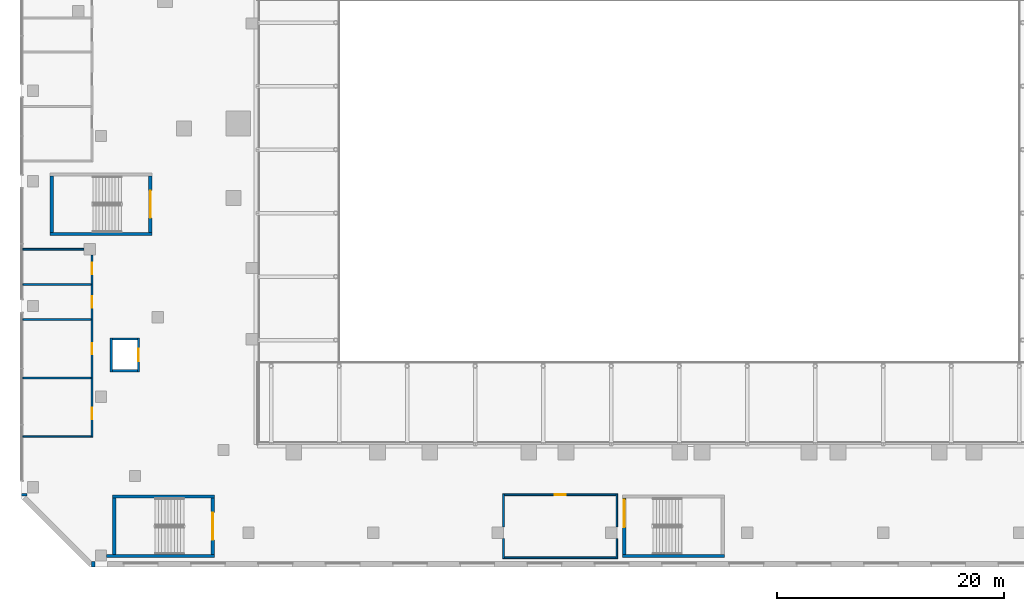
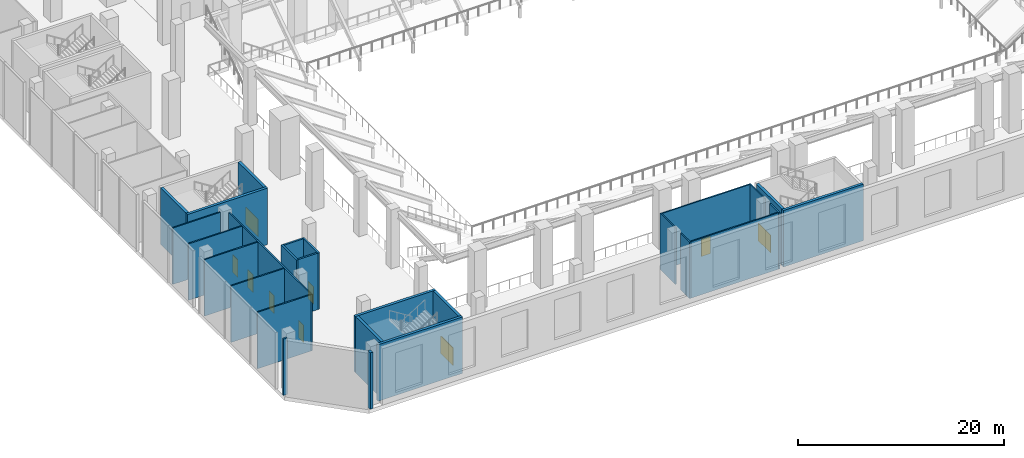
# One storey, part 20 of 41: 27 walls, 9 doors, 9 openings.
"""IFC4 building model written with IfcOpenShell, lengths in metres."""

from ifc_helpers import new_model, si_unit, direction, frame, frame_2d, origin, place, context, subcontext, project, spatial, rectangle, extrude, material, layer, layer_set, type_object, element, fill, save


model = new_model("IFC4")

# Units and contexts
model_context = context("Model", 3, precision=1e-05, world=origin(), true_north=direction((0.0, 1.0)))
body_context = subcontext(model_context, "Body", "Model", "MODEL_VIEW")
ifc_project = project(units=[si_unit("LENGTHUNIT", "METRE"), si_unit("AREAUNIT", "SQUARE_METRE"), si_unit("VOLUMEUNIT", "CUBIC_METRE"), si_unit("PLANEANGLEUNIT", "RADIAN"), si_unit("MASSUNIT", "GRAM", prefix="KILO")], contexts=[model_context])

# Site, building, storey
site_placement = place(None, origin())
site = spatial("IfcSite", under=ifc_project, at=site_placement, CompositionType="ELEMENT")
building_placement = place(site_placement, origin())
building = spatial("IfcBuilding", under=site, at=building_placement, Name="Wharfspan Tower", CompositionType="ELEMENT")
storey_placement = place(building_placement, frame((0.0, 0.0, 8.0)))
storey = spatial("IfcBuildingStorey", under=building, at=storey_placement, Name="L01", CompositionType="ELEMENT", Elevation=8.0)

# Wall
ifc_material_1 = material(Name="Calcium silicate masonry", Category="masonry")
ifc_layer_1 = layer(ifc_material_1, 0.149902)
ifc_layer_set_1 = layer_set([ifc_layer_1], Name="Calcium silicate masonry")
wall_type_1 = type_object("IfcWallType", Name="Podium room wall 150", PredefinedType="PARTITIONING", material=ifc_layer_set_1)
wall_1_placement = place(storey_placement, frame((-11.89502, -20.5, 0.0), z_axis=(0.0, 0.0, 1.0), x_axis=(1.0, 0.0, 0.0)))
element("IfcWall", 1, at=wall_1_placement, inside=storey, type_object=wall_type_1, Name="iw:L01:1", PredefinedType="PARTITIONING", context=body_context, shape_type="SweptSolid", body=[
    extrude(rectangle(XDim=6.02002, YDim=0.149902, at=frame_2d((3.01001, 0.0))), origin(), (0.0, 0.0, 1.0), 6.699951),
])

# Wall, openings, doors
wall_2_placement = place(storey_placement, frame((-5.800049, -20.574951, 0.0), z_axis=(0.0, 0.0, 1.0), x_axis=(0.0, 1.0, 0.0)))
wall_2 = element("IfcWall", 2, at=wall_2_placement, inside=storey, type_object=wall_type_1, Name="iw:L01:3", PredefinedType="PARTITIONING", context=body_context, shape_type="SweptSolid", body=[
    extrude(rectangle(XDim=16.064941, YDim=0.149902, at=frame_2d((8.032471, 0.0))), origin(), (0.0, 0.0, 1.0), 6.699951),
])
opening_1_placement = place(wall_2_placement, frame((1.5896, 0.0, 0.0)))
opening_1 = element("IfcOpeningElement", 3, at=opening_1_placement, cuts=wall_2, Name="Opening PD01.1", PredefinedType="OPENING", context=body_context, shape_type="SweptSolid", body=[
    extrude(rectangle(XDim=1.0, YDim=2.100098, at=frame_2d((0.5, 1.050049))), frame((0.0, 0.084961, 0.0), z_axis=(0.0, -1.0, 0.0), x_axis=(1.0, 0.0, 0.0)), (0.0, 0.0, 1.0), 0.169922),
])
opening_2_placement = place(wall_2_placement, frame((7.309326, 0.0, 0.0)))
opening_2 = element("IfcOpeningElement", 4, at=opening_2_placement, cuts=wall_2, Name="Opening PD01.2", PredefinedType="OPENING", context=body_context, shape_type="SweptSolid", body=[
    extrude(rectangle(XDim=1.0, YDim=2.100098, at=frame_2d((0.5, 1.050049))), frame((0.0, 0.084961, 0.0), z_axis=(0.0, -1.0, 0.0), x_axis=(1.0, 0.0, 0.0)), (0.0, 0.0, 1.0), 0.169922),
])
opening_3_placement = place(wall_2_placement, frame((11.434326, 0.0, 0.0)))
opening_3 = element("IfcOpeningElement", 5, at=opening_3_placement, cuts=wall_2, Name="Opening PD01.3", PredefinedType="OPENING", context=body_context, shape_type="SweptSolid", body=[
    extrude(rectangle(XDim=1.0, YDim=2.100098, at=frame_2d((0.5, 1.050049))), frame((0.0, 0.084961, 0.0), z_axis=(0.0, -1.0, 0.0), x_axis=(1.0, 0.0, 0.0)), (0.0, 0.0, 1.0), 0.169922),
])
opening_4_placement = place(wall_2_placement, frame((14.373047, 0.0, 0.0)))
opening_4 = element("IfcOpeningElement", 6, at=opening_4_placement, cuts=wall_2, Name="Opening PD01.4", PredefinedType="OPENING", context=body_context, shape_type="SweptSolid", body=[
    extrude(rectangle(XDim=1.0, YDim=2.100098, at=frame_2d((0.5, 1.050049))), frame((0.0, 0.084961, 0.0), z_axis=(0.0, -1.0, 0.0), x_axis=(1.0, 0.0, 0.0)), (0.0, 0.0, 1.0), 0.169922),
])
ifc_material_2 = material(Name="Steel door leaf", Category="steel")
door_type_1 = type_object("IfcDoorType", Name="Podium room door 1000x2100", OperationType="SINGLE_SWING_LEFT", PredefinedType="DOOR", material=ifc_material_2)
door_1_placement = place(opening_1_placement, origin())
door_1 = element("IfcDoor", 7, at=door_1_placement, inside=storey, type_object=door_type_1, Name="id:L01:1", OperationType="SINGLE_SWING_RIGHT", OverallHeight=2.100098, OverallWidth=1.0, PredefinedType="DOOR", context=body_context, shape_type="SweptSolid", body=[
    extrude(rectangle(XDim=1.0, YDim=2.100098, at=frame_2d((0.5, 1.050049))), frame((0.0, 0.024902, 0.0), z_axis=(0.0, -1.0, 0.0), x_axis=(1.0, 0.0, 0.0)), (0.0, 0.0, 1.0), 0.050049),
])
fill(opening_1, door_1)
door_2_placement = place(opening_2_placement, origin())
door_2 = element("IfcDoor", 8, at=door_2_placement, inside=storey, type_object=door_type_1, Name="id:L01:2", OperationType="SINGLE_SWING_LEFT", OverallHeight=2.100098, OverallWidth=1.0, PredefinedType="DOOR", context=body_context, shape_type="SweptSolid", body=[
    extrude(rectangle(XDim=1.0, YDim=2.100098, at=frame_2d((0.5, 1.050049))), frame((0.0, 0.024902, 0.0), z_axis=(0.0, -1.0, 0.0), x_axis=(1.0, 0.0, 0.0)), (0.0, 0.0, 1.0), 0.050049),
])
fill(opening_2, door_2)
door_3_placement = place(opening_3_placement, origin())
door_3 = element("IfcDoor", 9, at=door_3_placement, inside=storey, type_object=door_type_1, Name="id:L01:3", OperationType="SINGLE_SWING_RIGHT", OverallHeight=2.100098, OverallWidth=1.0, PredefinedType="DOOR", context=body_context, shape_type="SweptSolid", body=[
    extrude(rectangle(XDim=1.0, YDim=2.100098, at=frame_2d((0.5, 1.050049))), frame((0.0, 0.024902, 0.0), z_axis=(0.0, -1.0, 0.0), x_axis=(1.0, 0.0, 0.0)), (0.0, 0.0, 1.0), 0.050049),
])
fill(opening_3, door_3)
door_4_placement = place(opening_4_placement, origin())
door_4 = element("IfcDoor", 10, at=door_4_placement, inside=storey, type_object=door_type_1, Name="id:L01:4", OperationType="SINGLE_SWING_LEFT", OverallHeight=2.100098, OverallWidth=1.0, PredefinedType="DOOR", context=body_context, shape_type="SweptSolid", body=[
    extrude(rectangle(XDim=1.0, YDim=2.100098, at=frame_2d((0.5, 1.050049))), frame((0.0, 0.024902, 0.0), z_axis=(0.0, -1.0, 0.0), x_axis=(1.0, 0.0, 0.0)), (0.0, 0.0, 1.0), 0.050049),
])
fill(opening_4, door_4)

# Walls
for number, where, z_axis, x_axis, name in (
    (11, (-11.89502, -15.343994, 0.0), (0.0, 0.0, 1.0), (1.0, 0.0, 0.0), "iw:L01:6"),
    (12, (-11.89502, -10.187988, 0.0), (0.0, 0.0, 1.0), (1.0, 0.0, 0.0), "iw:L01:7"),
    (13, (-11.89502, -7.093994, 0.0), (0.0, 0.0, 1.0), (1.0, 0.0, 0.0), "iw:L01:8"),
):
    element("IfcWall", number, at=place(storey_placement, frame(where, z_axis=z_axis, x_axis=x_axis)), inside=storey, type_object=wall_type_1, Name=name, PredefinedType="PARTITIONING", context=body_context, shape_type="SweptSolid", body=[
        extrude(rectangle(XDim=6.02002, YDim=0.149902, at=frame_2d((3.01001, 0.0))), origin(), (0.0, 0.0, 1.0), 6.699951),
    ])
wall_3_placement = place(storey_placement, frame((-11.89502, -4.0, 0.0), z_axis=(0.0, 0.0, 1.0), x_axis=(1.0, 0.0, 0.0)))
element("IfcWall", 14, at=wall_3_placement, inside=storey, type_object=wall_type_1, Name="iw:L01:9", PredefinedType="PARTITIONING", context=body_context, shape_type="SweptSolid", body=[
    extrude(rectangle(XDim=5.38501, YDim=0.149902, at=frame_2d((2.692383, 0.0))), origin(), (0.0, 0.0, 1.0), 6.699951),
])
wall_4_placement = place(storey_placement, frame((30.574951, -31.199951, 0.0), z_axis=(0.0, 0.0, 1.0), x_axis=(1.0, 0.0, 0.0)))
element("IfcWall", 15, at=wall_4_placement, inside=storey, type_object=wall_type_1, Name="iw:L01:41", PredefinedType="PARTITIONING", context=body_context, shape_type="SweptSolid", body=[
    extrude(rectangle(XDim=9.850098, YDim=0.149902, at=frame_2d((4.925049, 0.0))), origin(), (0.0, 0.0, 1.0), 6.699951),
])
wall_5_placement = place(storey_placement, frame((40.5, -31.274902, 0.0), z_axis=(0.0, 0.0, 1.0), x_axis=(0.0, 1.0, 0.0)))
element("IfcWall", 16, at=wall_5_placement, inside=storey, type_object=wall_type_1, Name="iw:L01:42", PredefinedType="PARTITIONING", context=body_context, shape_type="SweptSolid", body=[
    extrude(rectangle(XDim=1.764893, YDim=0.149902, at=frame_2d((0.882324, 0.0))), origin(), (0.0, 0.0, 1.0), 6.699951),
])
wall_6_placement = place(storey_placement, frame((40.5, -28.48999, 0.0), z_axis=(0.0, 0.0, 1.0), x_axis=(0.0, 1.0, 0.0)))
element("IfcWall", 17, at=wall_6_placement, inside=storey, type_object=wall_type_1, Name="iw:L01:43", PredefinedType="PARTITIONING", context=body_context, shape_type="SweptSolid", body=[
    extrude(rectangle(XDim=2.915039, YDim=0.149902, at=frame_2d((1.45752, 0.0))), origin(), (0.0, 0.0, 1.0), 6.699951),
])

# Wall, opening, door
wall_7_placement = place(storey_placement, frame((30.574951, -25.649902, 0.0), z_axis=(0.0, 0.0, 1.0), x_axis=(1.0, 0.0, 0.0)))
wall_7 = element("IfcWall", 18, at=wall_7_placement, inside=storey, type_object=wall_type_1, Name="iw:L01:44", PredefinedType="PARTITIONING", context=body_context, shape_type="SweptSolid", body=[
    extrude(rectangle(XDim=9.850098, YDim=0.149902, at=frame_2d((4.925049, 0.0))), origin(), (0.0, 0.0, 1.0), 6.699951),
])
opening_5_placement = place(wall_7_placement, frame((4.425049, 0.0, 0.0)))
opening_5 = element("IfcOpeningElement", 19, at=opening_5_placement, cuts=wall_7, Name="Opening PD01.21", PredefinedType="OPENING", context=body_context, shape_type="SweptSolid", body=[
    extrude(rectangle(XDim=1.0, YDim=2.100098, at=frame_2d((0.5, 1.050049))), frame((0.0, 0.084961, 0.0), z_axis=(0.0, -1.0, 0.0), x_axis=(1.0, 0.0, 0.0)), (0.0, 0.0, 1.0), 0.169922),
])
door_5_placement = place(opening_5_placement, origin())
door_5 = element("IfcDoor", 20, at=door_5_placement, inside=storey, type_object=door_type_1, Name="id:L01:21", OperationType="SINGLE_SWING_RIGHT", OverallHeight=2.100098, OverallWidth=1.0, PredefinedType="DOOR", context=body_context, shape_type="SweptSolid", body=[
    extrude(rectangle(XDim=1.0, YDim=2.100098, at=frame_2d((0.5, 1.050049))), frame((0.0, 0.024902, 0.0), z_axis=(0.0, -1.0, 0.0), x_axis=(1.0, 0.0, 0.0)), (0.0, 0.0, 1.0), 0.050049),
])
fill(opening_5, door_5)

# Walls
wall_8_placement = place(storey_placement, frame((30.5, -31.274902, 0.0), z_axis=(0.0, 0.0, 1.0), x_axis=(0.0, 1.0, 0.0)))
element("IfcWall", 21, at=wall_8_placement, inside=storey, type_object=wall_type_1, Name="iw:L01:45", PredefinedType="PARTITIONING", context=body_context, shape_type="SweptSolid", body=[
    extrude(rectangle(XDim=1.764893, YDim=0.149902, at=frame_2d((0.882324, 0.0))), origin(), (0.0, 0.0, 1.0), 6.699951),
])
wall_9_placement = place(storey_placement, frame((30.5, -28.48999, 0.0), z_axis=(0.0, 0.0, 1.0), x_axis=(0.0, 1.0, 0.0)))
element("IfcWall", 22, at=wall_9_placement, inside=storey, type_object=wall_type_1, Name="iw:L01:46", PredefinedType="PARTITIONING", context=body_context, shape_type="SweptSolid", body=[
    extrude(rectangle(XDim=2.915039, YDim=0.149902, at=frame_2d((1.45752, 0.0))), origin(), (0.0, 0.0, 1.0), 6.699951),
])
ifc_material_3 = material(Name="Concrete C30/37", Category="concrete")
ifc_layer_2 = layer(ifc_material_3, 0.199951)
ifc_layer_set_2 = layer_set([ifc_layer_2], Name="Concrete C30/37")
wall_type_2 = type_object("IfcWallType", Name="Podium shaft wall 200", PredefinedType="PARTITIONING", material=ifc_layer_set_2)
wall_10_placement = place(storey_placement, frame((-4.100098, -14.800049, 0.0), z_axis=(0.0, 0.0, 1.0), x_axis=(0.0, 1.0, 0.0)))
element("IfcWall", 23, at=wall_10_placement, inside=storey, type_object=wall_type_2, Name="pl:LP3:L01:W", PredefinedType="PARTITIONING", context=body_context, shape_type="SweptSolid", body=[
    extrude(rectangle(XDim=3.0, YDim=0.199951, at=frame_2d((1.5, 0.0))), origin(), (0.0, 0.0, 1.0), 6.699951),
])

# Wall, opening, door
wall_11_placement = place(storey_placement, frame((-1.699951, -14.800049, 0.0), z_axis=(0.0, 0.0, 1.0), x_axis=(0.0, 1.0, 0.0)))
wall_11 = element("IfcWall", 24, at=wall_11_placement, inside=storey, type_object=wall_type_2, Name="pl:LP3:L01:E", PredefinedType="PARTITIONING", context=body_context, shape_type="SweptSolid", body=[
    extrude(rectangle(XDim=3.0, YDim=0.199951, at=frame_2d((1.5, 0.0))), origin(), (0.0, 0.0, 1.0), 6.699951),
])
opening_6_placement = place(wall_11_placement, frame((0.949951, 0.0, 0.0)))
opening_6 = element("IfcOpeningElement", 25, at=opening_6_placement, cuts=wall_11, Name="Opening LDP3.L01", PredefinedType="OPENING", context=body_context, shape_type="SweptSolid", body=[
    extrude(rectangle(XDim=1.100098, YDim=2.100098, at=frame_2d((0.550049, 1.050049))), frame((0.0, 0.109863, 0.0), z_axis=(0.0, -1.0, 0.0), x_axis=(1.0, 0.0, 0.0)), (0.0, 0.0, 1.0), 0.219971),
])
ifc_material_4 = material(Name="Stainless steel", Category="steel")
door_type_2 = type_object("IfcDoorType", Name="Podium lift landing door 1100x2100", OperationType="DOUBLE_DOOR_SLIDING", PredefinedType="DOOR", material=ifc_material_4)
door_6_placement = place(opening_6_placement, origin())
door_6 = element("IfcDoor", 26, at=door_6_placement, inside=storey, type_object=door_type_2, Name="Landing door LP3 L01", OperationType="DOUBLE_DOOR_SLIDING", OverallHeight=2.100098, OverallWidth=1.100098, PredefinedType="DOOR", context=body_context, shape_type="SweptSolid", body=[
    extrude(rectangle(XDim=1.100098, YDim=2.100098, at=frame_2d((0.550049, 1.050049))), frame((0.0, 0.024902, 0.0), z_axis=(0.0, -1.0, 0.0), x_axis=(1.0, 0.0, 0.0)), (0.0, 0.0, 1.0), 0.050049),
])
fill(opening_6, door_6)

# Walls
for number, where, z_axis, x_axis, name in (
    (27, (-4.0, -14.699951, 0.0), (0.0, 0.0, 1.0), (1.0, 0.0, 0.0), "pl:LP3:L01:S"),
    (28, (-4.0, -11.899902, 0.0), (0.0, 0.0, 1.0), (1.0, 0.0, 0.0), "pl:LP3:L01:N"),
):
    element("IfcWall", number, at=place(storey_placement, frame(where, z_axis=z_axis, x_axis=x_axis)), inside=storey, type_object=wall_type_2, Name=name, PredefinedType="PARTITIONING", context=body_context, shape_type="SweptSolid", body=[
        extrude(rectangle(XDim=2.199951, YDim=0.199951, at=frame_2d((1.100098, 0.0))), origin(), (0.0, 0.0, 1.0), 6.699951),
    ])
ifc_material_5 = material(Name="Concrete C40/50", Category="concrete")
ifc_layer_3 = layer(ifc_material_5, 0.300049)
ifc_layer_set_3 = layer_set([ifc_layer_3], Name="Concrete C40/50")
wall_type_3 = type_object("IfcWallType", Name="Podium stair core wall 300", PredefinedType="SHEAR", material=ifc_layer_set_3)
wall_12_placement = place(storey_placement, frame((-4.5, -31.050049, 0.0), z_axis=(0.0, 0.0, 1.0), x_axis=(1.0, 0.0, 0.0)))
element("IfcWall", 29, at=wall_12_placement, inside=storey, type_object=wall_type_3, Name="iw:L01:AS1S", PredefinedType="SHEAR", context=body_context, shape_type="SweptSolid", body=[
    extrude(rectangle(XDim=9.5, YDim=0.300049, at=frame_2d((4.75, 0.0))), origin(), (0.0, 0.0, 1.0), 6.699951),
])
wall_13_placement = place(storey_placement, frame((-4.0, -25.800049, 0.0), z_axis=(0.0, 0.0, 1.0), x_axis=(1.0, 0.0, 0.0)))
element("IfcWall", 30, at=wall_13_placement, inside=storey, type_object=wall_type_3, Name="iw:L01:AS1N", PredefinedType="SHEAR", context=body_context, shape_type="SweptSolid", body=[
    extrude(rectangle(XDim=9.0, YDim=0.300049, at=frame_2d((4.5, 0.0))), origin(), (0.0, 0.0, 1.0), 6.699951),
])
wall_14_placement = place(storey_placement, frame((-3.850098, -30.899902, 0.0), z_axis=(0.0, 0.0, 1.0), x_axis=(0.0, 1.0, 0.0)))
element("IfcWall", 31, at=wall_14_placement, inside=storey, type_object=wall_type_3, Name="iw:L01:AS1W", PredefinedType="SHEAR", context=body_context, shape_type="SweptSolid", body=[
    extrude(rectangle(XDim=4.949951, YDim=0.300049, at=frame_2d((2.475098, 0.0))), origin(), (0.0, 0.0, 1.0), 6.699951),
])

# Wall, opening, door
wall_15_placement = place(storey_placement, frame((4.850098, -30.899902, 0.0), z_axis=(0.0, 0.0, 1.0), x_axis=(0.0, 1.0, 0.0)))
wall_15 = element("IfcWall", 32, at=wall_15_placement, inside=storey, type_object=wall_type_3, Name="iw:L01:AS1E", PredefinedType="SHEAR", context=body_context, shape_type="SweptSolid", body=[
    extrude(rectangle(XDim=4.949951, YDim=0.300049, at=frame_2d((2.475098, 0.0))), origin(), (0.0, 0.0, 1.0), 6.699951),
])
opening_7_placement = place(wall_15_placement, frame((1.274902, 0.0, 0.0)))
opening_7 = element("IfcOpeningElement", 33, at=opening_7_placement, cuts=wall_15, Name="Opening SDAS1.L01", PredefinedType="OPENING", context=body_context, shape_type="SweptSolid", body=[
    extrude(rectangle(XDim=2.399902, YDim=2.100098, at=frame_2d((1.199951, 1.050049))), frame((0.0, 0.159912, 0.0), z_axis=(0.0, -1.0, 0.0), x_axis=(1.0, 0.0, 0.0)), (0.0, 0.0, 1.0), 0.320068),
])
door_type_3 = type_object("IfcDoorType", Name="Podium stair door 2400x2100", OperationType="DOUBLE_DOOR_SINGLE_SWING", PredefinedType="DOOR", material=ifc_material_2)
door_7_placement = place(opening_7_placement, origin())
door_7 = element("IfcDoor", 34, at=door_7_placement, inside=storey, type_object=door_type_3, Name="id:L01:AS1", OperationType="DOUBLE_DOOR_SINGLE_SWING", OverallHeight=2.100098, OverallWidth=2.399902, PredefinedType="DOOR", context=body_context, shape_type="SweptSolid", body=[
    extrude(rectangle(XDim=2.399902, YDim=2.100098, at=frame_2d((1.199951, 1.050049))), frame((0.0, 0.024902, 0.0), z_axis=(0.0, -1.0, 0.0), x_axis=(1.0, 0.0, 0.0)), (0.0, 0.0, 1.0), 0.050049),
])
fill(opening_7, door_7)

# Wall
wall_16_placement = place(storey_placement, frame((41.0, -31.050049, 0.0), z_axis=(0.0, 0.0, 1.0), x_axis=(1.0, 0.0, 0.0)))
element("IfcWall", 35, at=wall_16_placement, inside=storey, type_object=wall_type_3, Name="iw:L01:AS5S", PredefinedType="SHEAR", context=body_context, shape_type="SweptSolid", body=[
    extrude(rectangle(XDim=9.0, YDim=0.300049, at=frame_2d((4.5, 0.0))), origin(), (0.0, 0.0, 1.0), 6.699951),
])

# Wall, opening, door
wall_17_placement = place(storey_placement, frame((41.149902, -30.899902, 0.0), z_axis=(0.0, 0.0, 1.0), x_axis=(0.0, 1.0, 0.0)))
wall_17 = element("IfcWall", 36, at=wall_17_placement, inside=storey, type_object=wall_type_3, Name="iw:L01:AS5W", PredefinedType="SHEAR", context=body_context, shape_type="SweptSolid", body=[
    extrude(rectangle(XDim=4.949951, YDim=0.300049, at=frame_2d((2.475098, 0.0))), origin(), (0.0, 0.0, 1.0), 6.699951),
])
opening_8_placement = place(wall_17_placement, frame((2.396973, 0.0, 0.0)))
opening_8 = element("IfcOpeningElement", 37, at=opening_8_placement, cuts=wall_17, Name="Opening SDAS5.L01", PredefinedType="OPENING", context=body_context, shape_type="SweptSolid", body=[
    extrude(rectangle(XDim=2.399902, YDim=2.100098, at=frame_2d((1.199951, 1.050049))), frame((0.0, 0.159912, 0.0), z_axis=(0.0, -1.0, 0.0), x_axis=(1.0, 0.0, 0.0)), (0.0, 0.0, 1.0), 0.320068),
])
door_8_placement = place(opening_8_placement, origin())
door_8 = element("IfcDoor", 38, at=door_8_placement, inside=storey, type_object=door_type_3, Name="id:L01:AS5", OperationType="DOUBLE_DOOR_SINGLE_SWING", OverallHeight=2.100098, OverallWidth=2.399902, PredefinedType="DOOR", context=body_context, shape_type="SweptSolid", body=[
    extrude(rectangle(XDim=2.399902, YDim=2.100098, at=frame_2d((1.199951, 1.050049))), frame((0.0, 0.024902, 0.0), z_axis=(0.0, -1.0, 0.0), x_axis=(1.0, 0.0, 0.0)), (0.0, 0.0, 1.0), 0.050049),
])
fill(opening_8, door_8)

# Walls
wall_18_placement = place(storey_placement, frame((-9.5, -2.649902, 0.0), z_axis=(0.0, 0.0, 1.0), x_axis=(1.0, 0.0, 0.0)))
element("IfcWall", 39, at=wall_18_placement, inside=storey, type_object=wall_type_3, Name="iw:L01:AS7S", PredefinedType="SHEAR", context=body_context, shape_type="SweptSolid", body=[
    extrude(rectangle(XDim=9.0, YDim=0.300049, at=frame_2d((4.5, 0.0))), origin(), (0.0, 0.0, 1.0), 6.699951),
])
wall_19_placement = place(storey_placement, frame((-9.350098, -2.5, 0.0), z_axis=(0.0, 0.0, 1.0), x_axis=(0.0, 1.0, 0.0)))
element("IfcWall", 40, at=wall_19_placement, inside=storey, type_object=wall_type_3, Name="iw:L01:AS7W", PredefinedType="SHEAR", context=body_context, shape_type="SweptSolid", body=[
    extrude(rectangle(XDim=4.949951, YDim=0.300049, at=frame_2d((2.475098, 0.0))), origin(), (0.0, 0.0, 1.0), 6.699951),
])

# Wall, opening, door
wall_20_placement = place(storey_placement, frame((-0.649902, -2.5, 0.0), z_axis=(0.0, 0.0, 1.0), x_axis=(0.0, 1.0, 0.0)))
wall_20 = element("IfcWall", 41, at=wall_20_placement, inside=storey, type_object=wall_type_3, Name="iw:L01:AS7E", PredefinedType="SHEAR", context=body_context, shape_type="SweptSolid", body=[
    extrude(rectangle(XDim=4.949951, YDim=0.300049, at=frame_2d((2.475098, 0.0))), origin(), (0.0, 0.0, 1.0), 6.699951),
])
opening_9_placement = place(wall_20_placement, frame((1.274902, 0.0, 0.0)))
opening_9 = element("IfcOpeningElement", 42, at=opening_9_placement, cuts=wall_20, Name="Opening SDAS7.L01", PredefinedType="OPENING", context=body_context, shape_type="SweptSolid", body=[
    extrude(rectangle(XDim=2.399902, YDim=2.100098, at=frame_2d((1.199951, 1.050049))), frame((0.0, 0.159912, 0.0), z_axis=(0.0, -1.0, 0.0), x_axis=(1.0, 0.0, 0.0)), (0.0, 0.0, 1.0), 0.320068),
])
door_9_placement = place(opening_9_placement, origin())
door_9 = element("IfcDoor", 43, at=door_9_placement, inside=storey, type_object=door_type_3, Name="id:L01:AS7", OperationType="DOUBLE_DOOR_SINGLE_SWING", OverallHeight=2.100098, OverallWidth=2.399902, PredefinedType="DOOR", context=body_context, shape_type="SweptSolid", body=[
    extrude(rectangle(XDim=2.399902, YDim=2.100098, at=frame_2d((1.199951, 1.050049))), frame((0.0, 0.024902, 0.0), z_axis=(0.0, -1.0, 0.0), x_axis=(1.0, 0.0, 0.0)), (0.0, 0.0, 1.0), 0.050049),
])
fill(opening_9, door_9)

# Walls
ifc_layer_4 = layer(ifc_material_5, 0.449951)
ifc_layer_set_4 = layer_set([ifc_layer_4], Name="Concrete C40/50")
wall_type_4 = type_object("IfcWallType", Name="WALL BOARD-MARKED CONCRETE 450", PredefinedType="SOLIDWALL", material=ifc_layer_set_4)
wall_21_placement = place(storey_placement, frame((-5.840088, -31.774902, 0.0), z_axis=(0.0, 0.0, 1.0), x_axis=(1.0, 0.0, 0.0)))
element("IfcWall", 44, at=wall_21_placement, inside=storey, type_object=wall_type_4, Name="Podium wall PF1", PredefinedType="SOLIDWALL", context=body_context, shape_type="SweptSolid", body=[
    extrude(rectangle(XDim=0.290039, YDim=0.449951, at=frame_2d((0.14502, 0.0))), origin(), (0.0, 0.0, 1.0), 6.699951),
])
wall_22_placement = place(storey_placement, frame((-11.774902, -25.550049, 0.0), z_axis=(0.0, 0.0, 1.0), x_axis=(0.0, -1.0, 0.0)))
element("IfcWall", 45, at=wall_22_placement, inside=storey, type_object=wall_type_4, Name="Podium wall PF12", PredefinedType="SOLIDWALL", context=body_context, shape_type="SweptSolid", body=[
    extrude(rectangle(XDim=0.199951, YDim=0.449951, at=frame_2d((0.100098, 0.0))), origin(), (0.0, 0.0, 1.0), 6.699951),
])

save(model, "model.ifc")
